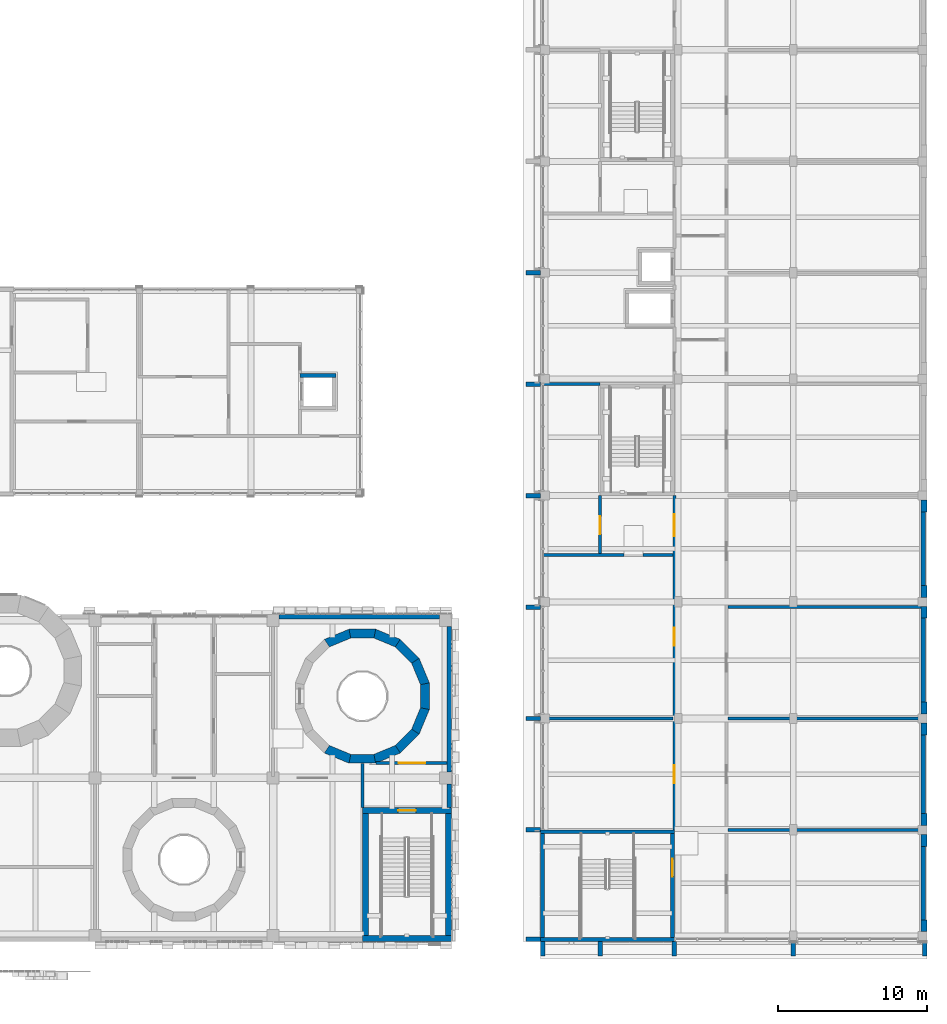
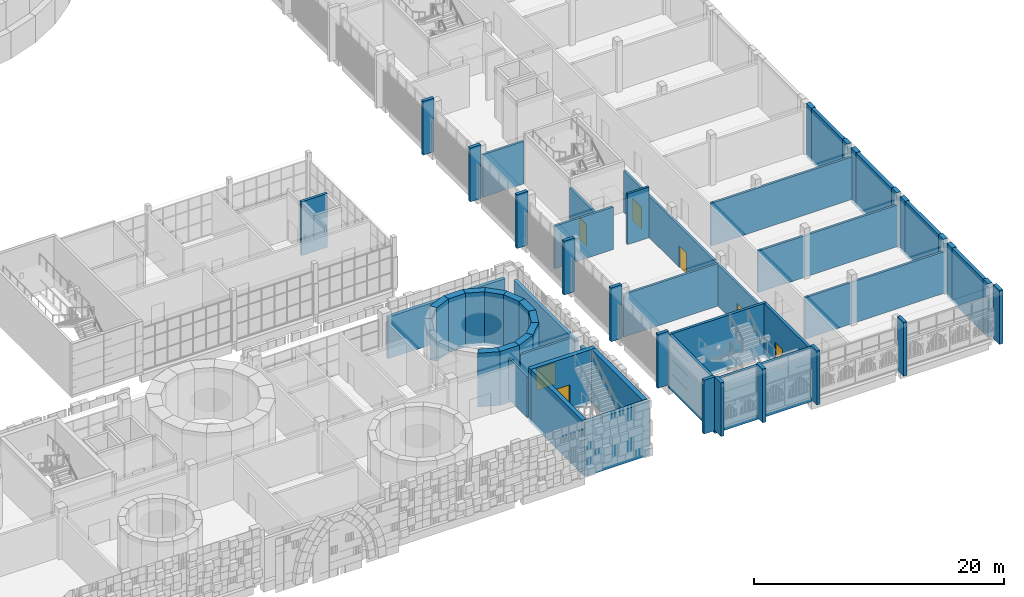
# One storey, part 68 of 125: 58 walls, 7 doors, 7 openings.
"""IFC4 building model written with IfcOpenShell, lengths in metres."""

from ifc_helpers import new_model, si_unit, direction, frame, frame_2d, origin, place, context, subcontext, project, spatial, polyline, rectangle, outline, extrude, material, layer, layer_set, type_object, element, fill, save


model = new_model("IFC4")

# Units and contexts
model_context = context("Model", 3, precision=1e-05, world=origin(), true_north=direction((0.0, 1.0)))
body_context = subcontext(model_context, "Body", "Model", "MODEL_VIEW")
ifc_project = project(units=[si_unit("LENGTHUNIT", "METRE"), si_unit("AREAUNIT", "SQUARE_METRE"), si_unit("VOLUMEUNIT", "CUBIC_METRE"), si_unit("PLANEANGLEUNIT", "RADIAN"), si_unit("MASSUNIT", "GRAM", prefix="KILO")], contexts=[model_context])

# Site, building, storey
site_placement = place(None, origin())
site = spatial("IfcSite", under=ifc_project, at=site_placement, CompositionType="ELEMENT")
building_placement = place(site_placement, origin())
building = spatial("IfcBuilding", under=site, at=building_placement, Name="Sun Court Science Centre", CompositionType="ELEMENT")
storey_placement = place(building_placement, frame((0.0, 0.0, 6.0)))
storey = spatial("IfcBuildingStorey", under=building, at=storey_placement, Name="L01", CompositionType="ELEMENT", Elevation=6.0)

# Walls
ifc_material_1 = material(Name="Clay masonry", Category="masonry")
ifc_layer_1 = layer(ifc_material_1, 0.300048828125)
ifc_layer_set_1 = layer_set([ifc_layer_1], Name="Clay masonry")
wall_type_1 = type_object("IfcWallType", Name="Clay masonry infill wall 300", PredefinedType="SOLIDWALL", material=ifc_layer_set_1)
wall_1_placement = place(storey_placement, frame((60.39990234375, 27.85009765625, 0.0), z_axis=(0.0, 0.0, 1.0), x_axis=(1.0, 0.0, 0.0)))
element("IfcWall", 1, at=wall_1_placement, inside=storey, type_object=wall_type_1, Name="External infill wall L01 north face 06", PredefinedType="SOLIDWALL", context=body_context, shape_type="SweptSolid", body=[
    extrude(rectangle(XDim=10.800048828125, YDim=0.300048828125, at=frame_2d((5.39990234375, 0.0))), origin(), (0.0, 0.0, 1.0), 4.050048828125),
])
wall_2_placement = place(storey_placement, frame((71.85009765625, 27.199951171875, 0.0), z_axis=(0.0, 0.0, 1.0), x_axis=(0.0, -1.0, 0.0)))
element("IfcWall", 2, at=wall_2_placement, inside=storey, type_object=wall_type_1, Name="External infill wall L01 east face 01", PredefinedType="SOLIDWALL", context=body_context, shape_type="SweptSolid", body=[
    extrude(rectangle(XDim=9.800048828125, YDim=0.300048828125, at=frame_2d((4.89990234375, 0.0))), origin(), (0.0, 0.0, 1.0), 4.050048828125),
])
wall_3_placement = place(storey_placement, frame((71.85009765625, 16.60009765625, 0.0), z_axis=(0.0, 0.0, 1.0), x_axis=(0.0, -1.0, 0.0)))
element("IfcWall", 3, at=wall_3_placement, inside=storey, type_object=wall_type_1, Name="External infill wall L01 east face 02", PredefinedType="SOLIDWALL", context=body_context, shape_type="SweptSolid", body=[
    extrude(rectangle(XDim=1.60009765625, YDim=0.300048828125, at=frame_2d((0.800048828125, 0.0))), origin(), (0.0, 0.0, 1.0), 4.050048828125),
])
ifc_material_2 = material(Name="Concrete C30/37", Category="concrete")
ifc_layer_2 = layer(ifc_material_2, 0.300048828125)
ifc_layer_set_2 = layer_set([ifc_layer_2], Name="Concrete C30/37")
wall_type_2 = type_object("IfcWallType", Name="Facade fin RC 300", PredefinedType="SOLIDWALL", material=ifc_layer_set_2)
for number, where, z_axis, x_axis, name in (
    (4, (77.0, 6.14990234375, 0.0), (0.0, 0.0, 1.0), (1.0, 0.0, 0.0), "Facade fin 01 L01"),
    (5, (77.0, 13.5, 0.0), (0.0, 0.0, 1.0), (1.0, 0.0, 0.0), "Facade fin 02 L01"),
    (6, (77.0, 21.0, 0.0), (0.0, 0.0, 1.0), (1.0, 0.0, 0.0), "Facade fin 03 L01"),
    (7, (77.0, 28.5, 0.0), (0.0, 0.0, 1.0), (1.0, 0.0, 0.0), "Facade fin 04 L01"),
    (8, (77.0, 36.0, 0.0), (0.0, 0.0, 1.0), (1.0, 0.0, 0.0), "Facade fin 05 L01"),
    (9, (77.0, 43.5, 0.0), (0.0, 0.0, 1.0), (1.0, 0.0, 0.0), "Facade fin 06 L01"),
    (10, (77.0, 51.0, 0.0), (0.0, 0.0, 1.0), (1.0, 0.0, 0.0), "Facade fin 07 L01"),
    (11, (78.14990234375, 6.0, 0.0), (0.0, 0.0, 1.0), (0.0, -1.0, 0.0), "Facade fin south 01 L01"),
    (12, (82.0, 6.0, 0.0), (0.0, 0.0, 1.0), (0.0, -1.0, 0.0), "Facade fin south 02 L01"),
    (13, (87.0, 6.0, 0.0), (0.0, 0.0, 1.0), (0.0, -1.0, 0.0), "Facade fin south 03 L01"),
    (14, (95.0, 6.0, 0.0), (0.0, 0.0, 1.0), (0.0, -1.0, 0.0), "Facade fin south 04 L01"),
    (15, (103.85009765625, 6.0, 0.0), (0.0, 0.0, 1.0), (0.0, -1.0, 0.0), "Facade fin south 05 L01"),
):
    element("IfcWall", number, at=place(storey_placement, frame(where, z_axis=z_axis, x_axis=x_axis)), inside=storey, type_object=wall_type_2, Name=name, PredefinedType="SOLIDWALL", context=body_context, shape_type="SweptSolid", body=[
        extrude(rectangle(XDim=1.0, YDim=0.300048828125, at=frame_2d((0.5, 0.0))), origin(), (0.0, 0.0, 1.0), 5.25),
    ])

# Wall, opening, door
ifc_material_3 = material(Name="Concrete block", Category="concrete")
ifc_layer_3 = layer(ifc_material_3, 0.199951171875)
ifc_layer_set_3 = layer_set([ifc_layer_3], Name="Concrete block")
wall_type_3 = type_object("IfcWallType", Name="Partition 200 block EI60", PredefinedType="PARTITIONING", material=ifc_layer_set_3)
wall_4_placement = place(storey_placement, frame((71.697998046875, 18.0, 0.0), z_axis=(0.0, 0.0, 1.0), x_axis=(-1.0, 0.0, 0.0)))
wall_4 = element("IfcWall", 16, at=wall_4_placement, inside=storey, type_object=wall_type_3, Name="L01 partition 003", PredefinedType="PARTITIONING", context=body_context, shape_type="SweptSolid", body=[
    extrude(rectangle(XDim=4.767333984375, YDim=0.199951171875, at=frame_2d((2.3837890625, 0.0))), origin(), (0.0, 0.0, 1.0), 4.050048828125),
])
opening_1_placement = place(wall_4_placement, frame((1.4609375, 0.0, 0.0)))
opening_1 = element("IfcOpeningElement", 17, at=opening_1_placement, cuts=wall_4, Name="Opening D-L01-011", PredefinedType="OPENING", context=body_context, shape_type="SweptSolid", body=[
    extrude(rectangle(XDim=1.800048828125, YDim=2.10009765625, at=frame_2d((0.89990234375, 1.050048828125))), frame((0.0, 0.10986328125, 0.0), z_axis=(0.0, -1.0, 0.0), x_axis=(1.0, 0.0, 0.0)), (0.0, 0.0, 1.0), 0.219970703125),
])
ifc_material_4 = material(Name="Timber", Category="wood")
door_type_1 = type_object("IfcDoorType", Name="Door 1800x2100 double leaf", OperationType="DOUBLE_DOOR_SINGLE_SWING", PredefinedType="DOOR", material=ifc_material_4)
door_1_placement = place(opening_1_placement, origin())
door_1 = element("IfcDoor", 18, at=door_1_placement, inside=storey, type_object=door_type_1, Name="Door D-L01-011", OperationType="DOUBLE_DOOR_SINGLE_SWING", OverallHeight=2.10009765625, OverallWidth=1.800048828125, PredefinedType="DOOR", context=body_context, shape_type="SweptSolid", body=[
    extrude(rectangle(XDim=1.800048828125, YDim=2.10009765625, at=frame_2d((0.89990234375, 1.050048828125))), frame((0.0, 0.02490234375, 0.0), z_axis=(0.0, -1.0, 0.0), x_axis=(1.0, 0.0, 0.0)), (0.0, 0.0, 1.0), 0.050048828125),
])
fill(opening_1, door_1)

# Walls
wall_5_placement = place(storey_placement, frame((78.199951171875, 32.0, 0.0), z_axis=(0.0, 0.0, 1.0), x_axis=(1.0, 0.0, 0.0)))
element("IfcWall", 19, at=wall_5_placement, inside=storey, type_object=wall_type_3, Name="L01 partition 005", PredefinedType="PARTITIONING", context=body_context, shape_type="SweptSolid", body=[
    extrude(rectangle(XDim=5.400146484375, YDim=0.199951171875, at=frame_2d((2.7001953125, 0.0))), origin(), (0.0, 0.0, 1.0), 4.14990234375),
])
wall_6_placement = place(storey_placement, frame((84.89990234375, 32.0, 0.0), z_axis=(0.0, 0.0, 1.0), x_axis=(1.0, 0.0, 0.0)))
element("IfcWall", 20, at=wall_6_placement, inside=storey, type_object=wall_type_3, Name="L01 partition 006", PredefinedType="PARTITIONING", context=body_context, shape_type="SweptSolid", body=[
    extrude(rectangle(XDim=2.0, YDim=0.199951171875, at=frame_2d((1.0, 0.0))), origin(), (0.0, 0.0, 1.0), 4.949951171875),
])

# Wall, opening, door
wall_7_placement = place(storey_placement, frame((82.0, 32.10009765625, 0.0), z_axis=(0.0, 0.0, 1.0), x_axis=(0.0, 1.0, 0.0)))
wall_7 = element("IfcWall", 21, at=wall_7_placement, inside=storey, type_object=wall_type_3, Name="L01 partition 026", PredefinedType="PARTITIONING", context=body_context, shape_type="SweptSolid", body=[
    extrude(rectangle(XDim=3.89794921875, YDim=0.199951171875, at=frame_2d((1.948974609375, 0.0))), origin(), (0.0, 0.0, 1.0), 4.14990234375),
])
opening_2_placement = place(wall_7_placement, frame((1.301025390625, 0.0, 0.0)))
opening_2 = element("IfcOpeningElement", 22, at=opening_2_placement, cuts=wall_7, Name="Opening D-L01-039", PredefinedType="OPENING", context=body_context, shape_type="SweptSolid", body=[
    extrude(rectangle(XDim=1.199951171875, YDim=2.10009765625, at=frame_2d((0.60009765625, 1.050048828125))), frame((0.0, 0.10986328125, 0.0), z_axis=(0.0, -1.0, 0.0), x_axis=(1.0, 0.0, 0.0)), (0.0, 0.0, 1.0), 0.219970703125),
])
ifc_material_5 = material(Name="Timber", Category="wood")
door_type_2 = type_object("IfcDoorType", Name="Door 1200x2100 single leaf", OperationType="NOTDEFINED", PredefinedType="DOOR", material=ifc_material_5)
door_2_placement = place(opening_2_placement, origin())
door_2 = element("IfcDoor", 23, at=door_2_placement, inside=storey, type_object=door_type_2, Name="Door D-L01-039", OperationType="SINGLE_SWING_RIGHT", OverallHeight=2.10009765625, OverallWidth=1.199951171875, PredefinedType="DOOR", context=body_context, shape_type="SweptSolid", body=[
    extrude(rectangle(XDim=1.199951171875, YDim=2.10009765625, at=frame_2d((0.60009765625, 1.050048828125))), frame((0.0, 0.02490234375, 0.0), z_axis=(0.0, -1.0, 0.0), x_axis=(1.0, 0.0, 0.0)), (0.0, 0.0, 1.0), 0.050048828125),
])
fill(opening_2, door_2)

# Wall
wall_8_placement = place(storey_placement, frame((66.0, 15.001953125, 0.0), z_axis=(0.0, 0.0, 1.0), x_axis=(0.0, 1.0, 0.0)))
element("IfcWall", 24, at=wall_8_placement, inside=storey, type_object=wall_type_3, Name="L01 partition 009", PredefinedType="PARTITIONING", context=body_context, shape_type="SweptSolid", body=[
    extrude(rectangle(XDim=2.984375, YDim=0.199951171875, at=frame_2d((1.4921875, 0.0))), origin(), (0.0, 0.0, 1.0), 4.050048828125),
])

# Wall, openings, doors
ifc_material_6 = material(Name="Concrete block", Category="concrete")
ifc_layer_4 = layer(ifc_material_6, 0.199951171875)
ifc_layer_set_4 = layer_set([ifc_layer_4], Name="Concrete block")
wall_type_4 = type_object("IfcWallType", Name="Partition 200 corridor block EI120", PredefinedType="PARTITIONING", material=ifc_layer_set_4)
wall_9_placement = place(storey_placement, frame((87.0, 13.501953125, 0.0), z_axis=(0.0, 0.0, 1.0), x_axis=(0.0, 1.0, 0.0)))
wall_9 = element("IfcWall", 25, at=wall_9_placement, inside=storey, type_object=wall_type_4, Name="L01 partition 021", PredefinedType="PARTITIONING", context=body_context, shape_type="SweptSolid", body=[
    extrude(rectangle(XDim=22.49609375, YDim=0.199951171875, at=frame_2d((11.248046875, 0.0))), origin(), (0.0, 0.0, 1.0), 4.050048828125),
])
opening_3_placement = place(wall_9_placement, frame((19.748046875, 0.0, 0.0)))
opening_3 = element("IfcOpeningElement", 26, at=opening_3_placement, cuts=wall_9, Name="Opening D-L01-031", PredefinedType="OPENING", context=body_context, shape_type="SweptSolid", body=[
    extrude(rectangle(XDim=1.5, YDim=2.10009765625, at=frame_2d((0.75, 1.050048828125))), frame((0.0, 0.10986328125, 0.0), z_axis=(0.0, -1.0, 0.0), x_axis=(1.0, 0.0, 0.0)), (0.0, 0.0, 1.0), 0.219970703125),
])
opening_4_placement = place(wall_9_placement, frame((3.14794921875, 0.0, 0.0)))
opening_4 = element("IfcOpeningElement", 27, at=opening_4_placement, cuts=wall_9, Name="Opening D-L01-037", PredefinedType="OPENING", context=body_context, shape_type="SweptSolid", body=[
    extrude(rectangle(XDim=1.199951171875, YDim=2.10009765625, at=frame_2d((0.60009765625, 1.050048828125))), frame((0.0, 0.10986328125, 0.0), z_axis=(0.0, -1.0, 0.0), x_axis=(1.0, 0.0, 0.0)), (0.0, 0.0, 1.0), 0.219970703125),
])
opening_5_placement = place(wall_9_placement, frame((12.39794921875, 0.0, 0.0)))
opening_5 = element("IfcOpeningElement", 28, at=opening_5_placement, cuts=wall_9, Name="Opening D-L01-038", PredefinedType="OPENING", context=body_context, shape_type="SweptSolid", body=[
    extrude(rectangle(XDim=1.199951171875, YDim=2.10009765625, at=frame_2d((0.60009765625, 1.050048828125))), frame((0.0, 0.10986328125, 0.0), z_axis=(0.0, -1.0, 0.0), x_axis=(1.0, 0.0, 0.0)), (0.0, 0.0, 1.0), 0.219970703125),
])
ifc_material_7 = material(Name="Steel", Category="steel")
door_type_3 = type_object("IfcDoorType", Name="Door 1200x2100 single leaf FD60", OperationType="NOTDEFINED", PredefinedType="DOOR", material=ifc_material_7)
door_3_placement = place(opening_4_placement, origin())
door_3 = element("IfcDoor", 29, at=door_3_placement, inside=storey, type_object=door_type_3, Name="Door D-L01-037", OperationType="SINGLE_SWING_RIGHT", OverallHeight=2.10009765625, OverallWidth=1.199951171875, PredefinedType="DOOR", context=body_context, shape_type="SweptSolid", body=[
    extrude(rectangle(XDim=1.199951171875, YDim=2.10009765625, at=frame_2d((0.60009765625, 1.050048828125))), frame((0.0, 0.02490234375, 0.0), z_axis=(0.0, -1.0, 0.0), x_axis=(1.0, 0.0, 0.0)), (0.0, 0.0, 1.0), 0.050048828125),
])
fill(opening_4, door_3)
door_4_placement = place(opening_5_placement, origin())
door_4 = element("IfcDoor", 30, at=door_4_placement, inside=storey, type_object=door_type_3, Name="Door D-L01-038", OperationType="SINGLE_SWING_LEFT", OverallHeight=2.10009765625, OverallWidth=1.199951171875, PredefinedType="DOOR", context=body_context, shape_type="SweptSolid", body=[
    extrude(rectangle(XDim=1.199951171875, YDim=2.10009765625, at=frame_2d((0.60009765625, 1.050048828125))), frame((0.0, 0.02490234375, 0.0), z_axis=(0.0, -1.0, 0.0), x_axis=(1.0, 0.0, 0.0)), (0.0, 0.0, 1.0), 0.050048828125),
])
fill(opening_5, door_4)
ifc_material_8 = material(Name="Steel", Category="steel")
door_type_4 = type_object("IfcDoorType", Name="Door 1500x2100 double leaf FD60", OperationType="DOUBLE_DOOR_SINGLE_SWING", PredefinedType="DOOR", material=ifc_material_8)
door_5_placement = place(opening_3_placement, origin())
door_5 = element("IfcDoor", 31, at=door_5_placement, inside=storey, type_object=door_type_4, Name="Door D-L01-031", OperationType="DOUBLE_DOOR_SINGLE_SWING", OverallHeight=2.10009765625, OverallWidth=1.5, PredefinedType="DOOR", context=body_context, shape_type="SweptSolid", body=[
    extrude(rectangle(XDim=1.5, YDim=2.10009765625, at=frame_2d((0.75, 1.050048828125))), frame((0.0, 0.02490234375, 0.0), z_axis=(0.0, -1.0, 0.0), x_axis=(1.0, 0.0, 0.0)), (0.0, 0.0, 1.0), 0.050048828125),
])
fill(opening_3, door_5)

# Walls
ifc_material_9 = material(Name="Concrete block", Category="concrete")
ifc_layer_5 = layer(ifc_material_9, 0.199951171875)
ifc_layer_set_5 = layer_set([ifc_layer_5], Name="Concrete block")
wall_type_5 = type_object("IfcWallType", Name="Partition 200 laboratory block", PredefinedType="PARTITIONING", material=ifc_layer_set_5)
wall_10_placement = place(storey_placement, frame((90.60009765625, 13.5, 0.0), z_axis=(0.0, 0.0, 1.0), x_axis=(1.0, 0.0, 0.0)))
element("IfcWall", 32, at=wall_10_placement, inside=storey, type_object=wall_type_5, Name="L01 partition 001", PredefinedType="PARTITIONING", context=body_context, shape_type="SweptSolid", body=[
    extrude(rectangle(XDim=13.199951171875, YDim=0.199951171875, at=frame_2d((6.60009765625, 0.0))), origin(), (0.0, 0.0, 1.0), 4.050048828125),
])
wall_11_placement = place(storey_placement, frame((78.199951171875, 21.0, 0.0), z_axis=(0.0, 0.0, 1.0), x_axis=(1.0, 0.0, 0.0)))
element("IfcWall", 33, at=wall_11_placement, inside=storey, type_object=wall_type_5, Name="L01 partition 002", PredefinedType="PARTITIONING", context=body_context, shape_type="SweptSolid", body=[
    extrude(rectangle(XDim=8.699951171875, YDim=0.199951171875, at=frame_2d((4.35009765625, 0.0))), origin(), (0.0, 0.0, 1.0), 4.14990234375),
])
wall_12_placement = place(storey_placement, frame((90.60009765625, 21.0, 0.0), z_axis=(0.0, 0.0, 1.0), x_axis=(1.0, 0.0, 0.0)))
element("IfcWall", 34, at=wall_12_placement, inside=storey, type_object=wall_type_5, Name="L01 partition 003", PredefinedType="PARTITIONING", context=body_context, shape_type="SweptSolid", body=[
    extrude(rectangle(XDim=13.199951171875, YDim=0.199951171875, at=frame_2d((6.60009765625, 0.0))), origin(), (0.0, 0.0, 1.0), 4.050048828125),
])
wall_13_placement = place(storey_placement, frame((90.60009765625, 28.5, 0.0), z_axis=(0.0, 0.0, 1.0), x_axis=(1.0, 0.0, 0.0)))
element("IfcWall", 35, at=wall_13_placement, inside=storey, type_object=wall_type_5, Name="L01 partition 004", PredefinedType="PARTITIONING", context=body_context, shape_type="SweptSolid", body=[
    extrude(rectangle(XDim=12.997802734375, YDim=0.199951171875, at=frame_2d((6.4990234375, 0.0))), origin(), (0.0, 0.0, 1.0), 4.14990234375),
])
wall_14_placement = place(storey_placement, frame((78.199951171875, 43.5, 0.0), z_axis=(0.0, 0.0, 1.0), x_axis=(1.0, 0.0, 0.0)))
element("IfcWall", 36, at=wall_14_placement, inside=storey, type_object=wall_type_5, Name="L01 partition 008", PredefinedType="PARTITIONING", context=body_context, shape_type="SweptSolid", body=[
    extrude(rectangle(XDim=3.798095703125, YDim=0.199951171875, at=frame_2d((1.89892578125, 0.0))), origin(), (0.0, 0.0, 1.0), 4.14990234375),
])
ifc_material_10 = material(Name="Concrete C30/37", Category="concrete")
ifc_layer_6 = layer(ifc_material_10, 0.60009765625)
ifc_layer_set_6 = layer_set([ifc_layer_6], Name="Concrete C30/37")
wall_type_6 = type_object("IfcWallType", Name="RC cone ring wall 600", PredefinedType="SHEAR", material=ifc_layer_set_6)
wall_15_placement = place(storey_placement, frame((70.234375, 23.28271484375, -0.300048828125), z_axis=(0.0, 0.0, 1.0), x_axis=(-0.3826441282, 0.92389581185, 0.0)))
element("IfcWall", 37, at=wall_15_placement, inside=storey, type_object=wall_type_6, Name="Cone 6 ring wall L01 segment 1", PredefinedType="SHEAR", context=body_context, shape_type="SweptSolid", body=[
    extrude(outline(polyline([(0.0, -0.300048828125), (1.794677734375, -0.2998046875), (1.67529296875, 0.300048828125), (0.119140625, 0.300048828125), (0.0, -0.300048828125)])), origin(), (0.0, 0.0, 1.0), 5.25),
])
wall_16_placement = place(storey_placement, frame((69.612548828125, 24.843505859375, -0.300048828125), z_axis=(0.0, 0.0, 1.0), x_axis=(-0.707106781187, 0.707106781187, 0.0)))
element("IfcWall", 38, at=wall_16_placement, inside=storey, type_object=wall_type_6, Name="Cone 6 ring wall L01 segment 2", PredefinedType="SHEAR", context=body_context, shape_type="SweptSolid", body=[
    extrude(outline(polyline([(0.0, -0.300048828125), (1.794677734375, -0.300048828125), (1.67529296875, 0.2998046875), (0.119384765625, 0.2998046875), (0.0, -0.300048828125)])), origin(), (0.0, 0.0, 1.0), 5.25),
])
wall_17_placement = place(storey_placement, frame((68.44091796875, 26.047607421875, -0.300048828125), z_axis=(0.0, 0.0, 1.0), x_axis=(-0.92389581185, 0.3826441282, 0.0)))
element("IfcWall", 39, at=wall_17_placement, inside=storey, type_object=wall_type_6, Name="Cone 6 ring wall L01 segment 3", PredefinedType="SHEAR", context=body_context, shape_type="SweptSolid", body=[
    extrude(outline(polyline([(0.0, -0.2998046875), (1.794921875, -0.300048828125), (1.675537109375, 0.300048828125), (0.119384765625, 0.300048828125), (0.0, -0.2998046875)])), origin(), (0.0, 0.0, 1.0), 5.25),
])
wall_18_placement = place(storey_placement, frame((66.8974609375, 26.711669921875, -0.300048828125), z_axis=(0.0, 0.0, 1.0), x_axis=(-1.0, 0.0, 0.0)))
element("IfcWall", 40, at=wall_18_placement, inside=storey, type_object=wall_type_6, Name="Cone 6 ring wall L01 segment 4", PredefinedType="SHEAR", context=body_context, shape_type="SweptSolid", body=[
    extrude(outline(polyline([(0.0, -0.300048828125), (1.794921875, -0.300048828125), (1.675537109375, 0.300048828125), (0.119384765625, 0.300048828125), (0.0, -0.300048828125)])), origin(), (0.0, 0.0, 1.0), 5.25),
])
wall_19_placement = place(storey_placement, frame((65.21728515625, 26.734375, -0.300048828125), z_axis=(0.0, 0.0, 1.0), x_axis=(-0.92389581185, -0.3826441282, 0.0)))
element("IfcWall", 41, at=wall_19_placement, inside=storey, type_object=wall_type_6, Name="Cone 6 ring wall L01 segment 5", PredefinedType="SHEAR", context=body_context, shape_type="SweptSolid", body=[
    extrude(outline(polyline([(0.0, -0.300048828125), (1.794677734375, -0.2998046875), (1.67529296875, 0.300048828125), (0.119140625, 0.300048828125), (0.0, -0.300048828125)])), origin(), (0.0, 0.0, 1.0), 5.25),
])
wall_20_placement = place(storey_placement, frame((63.55908203125, 18.952392578125, -0.300048828125), z_axis=(0.0, 0.0, 1.0), x_axis=(0.92389581185, -0.3826441282, 0.0)))
element("IfcWall", 42, at=wall_20_placement, inside=storey, type_object=wall_type_6, Name="Cone 6 ring wall L01 segment 11", PredefinedType="SHEAR", context=body_context, shape_type="SweptSolid", body=[
    extrude(outline(polyline([(0.0, -0.2998046875), (1.794921875, -0.300048828125), (1.675537109375, 0.300048828125), (0.119384765625, 0.300048828125), (0.0, -0.2998046875)])), origin(), (0.0, 0.0, 1.0), 5.25),
])
wall_21_placement = place(storey_placement, frame((65.1025390625, 18.288330078125, -0.300048828125), z_axis=(0.0, 0.0, 1.0), x_axis=(1.0, 0.0, 0.0)))
element("IfcWall", 43, at=wall_21_placement, inside=storey, type_object=wall_type_6, Name="Cone 6 ring wall L01 segment 12", PredefinedType="SHEAR", context=body_context, shape_type="SweptSolid", body=[
    extrude(outline(polyline([(0.0, -0.300048828125), (1.794921875, -0.300048828125), (1.675537109375, 0.300048828125), (0.119384765625, 0.300048828125), (0.0, -0.300048828125)])), origin(), (0.0, 0.0, 1.0), 5.25),
])
wall_22_placement = place(storey_placement, frame((66.78271484375, 18.265625, -0.300048828125), z_axis=(0.0, 0.0, 1.0), x_axis=(0.92389581185, 0.3826441282, 0.0)))
element("IfcWall", 44, at=wall_22_placement, inside=storey, type_object=wall_type_6, Name="Cone 6 ring wall L01 segment 13", PredefinedType="SHEAR", context=body_context, shape_type="SweptSolid", body=[
    extrude(outline(polyline([(0.0, -0.300048828125), (1.794677734375, -0.2998046875), (1.67529296875, 0.300048828125), (0.119140625, 0.300048828125), (0.0, -0.300048828125)])), origin(), (0.0, 0.0, 1.0), 5.25),
])
wall_23_placement = place(storey_placement, frame((68.343505859375, 18.887451171875, -0.300048828125), z_axis=(0.0, 0.0, 1.0), x_axis=(0.707106781187, 0.707106781187, 0.0)))
element("IfcWall", 45, at=wall_23_placement, inside=storey, type_object=wall_type_6, Name="Cone 6 ring wall L01 segment 14", PredefinedType="SHEAR", context=body_context, shape_type="SweptSolid", body=[
    extrude(outline(polyline([(0.0, -0.300048828125), (1.794677734375, -0.300048828125), (1.67529296875, 0.2998046875), (0.119384765625, 0.2998046875), (0.0, -0.300048828125)])), origin(), (0.0, 0.0, 1.0), 5.25),
])
wall_24_placement = place(storey_placement, frame((69.547607421875, 20.05908203125, -0.300048828125), z_axis=(0.0, 0.0, 1.0), x_axis=(0.3826441282, 0.92389581185, 0.0)))
element("IfcWall", 46, at=wall_24_placement, inside=storey, type_object=wall_type_6, Name="Cone 6 ring wall L01 segment 15", PredefinedType="SHEAR", context=body_context, shape_type="SweptSolid", body=[
    extrude(outline(polyline([(0.0, -0.2998046875), (1.794921875, -0.300048828125), (1.675537109375, 0.300048828125), (0.119384765625, 0.300048828125), (0.0, -0.2998046875)])), origin(), (0.0, 0.0, 1.0), 5.25),
])
wall_25_placement = place(storey_placement, frame((70.211669921875, 21.6025390625, -0.300048828125), z_axis=(0.0, 0.0, 1.0), x_axis=(0.0, 1.0, 0.0)))
element("IfcWall", 47, at=wall_25_placement, inside=storey, type_object=wall_type_6, Name="Cone 6 ring wall L01 segment 16", PredefinedType="SHEAR", context=body_context, shape_type="SweptSolid", body=[
    extrude(outline(polyline([(0.0, -0.300048828125), (1.794921875, -0.300048828125), (1.675537109375, 0.300048828125), (0.119384765625, 0.300048828125), (0.0, -0.300048828125)])), origin(), (0.0, 0.0, 1.0), 5.25),
])
ifc_material_11 = material(Name="Concrete C30/37", Category="concrete")
ifc_layer_7 = layer(ifc_material_11, 0.39990234375)
ifc_layer_set_7 = layer_set([ifc_layer_7], Name="Concrete C30/37")
wall_type_7 = type_object("IfcWallType", Name="RC party wall exterior 400", PredefinedType="SOLIDWALL", material=ifc_layer_set_7)
for number, where, z_axis, x_axis, name in (
    (48, (103.800048828125, 6.64990234375, -0.300048828125), (0.0, 0.0, 1.0), (0.0, 1.0, 0.0), "East party wall L01"),
    (49, (103.800048828125, 12.39990234375, -0.300048828125), (0.0, 0.0, 1.0), (0.0, 1.0, 0.0), "East party wall L01"),
    (50, (103.800048828125, 13.800048828125, -0.300048828125), (0.0, 0.0, 1.0), (0.0, 1.0, 0.0), "East party wall L01"),
    (51, (103.800048828125, 19.89990234375, -0.300048828125), (0.0, 0.0, 1.0), (0.0, 1.0, 0.0), "East party wall L01"),
    (52, (103.800048828125, 21.300048828125, -0.300048828125), (0.0, 0.0, 1.0), (0.0, 1.0, 0.0), "East party wall L01"),
    (53, (103.800048828125, 27.75, -0.300048828125), (0.0, 0.0, 1.0), (0.0, 1.0, 0.0), "East party wall L01"),
    (54, (103.800048828125, 29.14990234375, -0.300048828125), (0.0, 0.0, 1.0), (0.0, 1.0, 0.0), "East party wall L01"),
    (55, (103.800048828125, 34.89990234375, -0.300048828125), (0.0, 0.0, 1.0), (0.0, 1.0, 0.0), "East party wall L01"),
):
    element("IfcWall", number, at=place(storey_placement, frame(where, z_axis=z_axis, x_axis=x_axis)), inside=storey, type_object=wall_type_7, Name=name, PredefinedType="SOLIDWALL", context=body_context, shape_type="SweptSolid", body=[
        extrude(rectangle(XDim=0.800048828125, YDim=0.39990234375, at=frame_2d((0.39990234375, 0.0))), origin(), (0.0, 0.0, 1.0), 5.25),
    ])
ifc_material_12 = material(Name="Concrete C30/37", Category="concrete")
ifc_layer_8 = layer(ifc_material_12, 0.300048828125)
ifc_layer_set_8 = layer_set([ifc_layer_8], Name="Concrete C30/37")
wall_type_8 = type_object("IfcWallType", Name="RC party wall panel exterior 300", PredefinedType="SOLIDWALL", material=ifc_layer_set_8)
wall_26_placement = place(storey_placement, frame((103.75, 7.449951171875, -0.300048828125), z_axis=(0.0, 0.0, 1.0), x_axis=(0.0, 1.0, 0.0)))
element("IfcWall", 56, at=wall_26_placement, inside=storey, type_object=wall_type_8, Name="East party wall L01 panel", PredefinedType="SOLIDWALL", context=body_context, shape_type="SweptSolid", body=[
    extrude(rectangle(XDim=4.949951171875, YDim=0.300048828125, at=frame_2d((2.47509765625, 0.0))), origin(), (0.0, 0.0, 1.0), 5.25),
])
wall_27_placement = place(storey_placement, frame((103.75, 14.60009765625, -0.300048828125), z_axis=(0.0, 0.0, 1.0), x_axis=(0.0, 1.0, 0.0)))
element("IfcWall", 57, at=wall_27_placement, inside=storey, type_object=wall_type_8, Name="East party wall L01 panel", PredefinedType="SOLIDWALL", context=body_context, shape_type="SweptSolid", body=[
    extrude(rectangle(XDim=5.2998046875, YDim=0.300048828125, at=frame_2d((2.64990234375, 0.0))), origin(), (0.0, 0.0, 1.0), 5.25),
])
wall_28_placement = place(storey_placement, frame((103.75, 22.10009765625, -0.300048828125), z_axis=(0.0, 0.0, 1.0), x_axis=(0.0, 1.0, 0.0)))
element("IfcWall", 58, at=wall_28_placement, inside=storey, type_object=wall_type_8, Name="East party wall L01 panel", PredefinedType="SOLIDWALL", context=body_context, shape_type="SweptSolid", body=[
    extrude(rectangle(XDim=5.64990234375, YDim=0.300048828125, at=frame_2d((2.824951171875, 0.0))), origin(), (0.0, 0.0, 1.0), 5.25),
])
wall_29_placement = place(storey_placement, frame((103.75, 29.949951171875, -0.300048828125), z_axis=(0.0, 0.0, 1.0), x_axis=(0.0, 1.0, 0.0)))
element("IfcWall", 59, at=wall_29_placement, inside=storey, type_object=wall_type_8, Name="East party wall L01 panel", PredefinedType="SOLIDWALL", context=body_context, shape_type="SweptSolid", body=[
    extrude(rectangle(XDim=4.949951171875, YDim=0.300048828125, at=frame_2d((2.47509765625, 0.0))), origin(), (0.0, 0.0, 1.0), 5.25),
])
ifc_material_13 = material(Name="Concrete C30/37", Category="concrete")
ifc_layer_9 = layer(ifc_material_13, 0.25)
ifc_layer_set_9 = layer_set([ifc_layer_9], Name="Concrete C30/37")
wall_type_9 = type_object("IfcWallType", Name="RC shaft wall 250", PredefinedType="SHEAR", material=ifc_layer_set_9)
wall_30_placement = place(storey_placement, frame((61.78759765625, 44.08740234375, -0.300048828125), z_axis=(0.0, 0.0, 1.0), x_axis=(1.0, 0.0, 0.0)))
element("IfcWall", 60, at=wall_30_placement, inside=storey, type_object=wall_type_9, Name="Lift core LP1 wall N, L01", PredefinedType="SHEAR", context=body_context, shape_type="SweptSolid", body=[
    extrude(rectangle(XDim=2.4248046875, YDim=0.25, at=frame_2d((1.21240234375, 0.0))), origin(), (0.0, 0.0, 1.0), 5.25),
])
ifc_material_14 = material(Name="Concrete C30/37", Category="concrete")
ifc_layer_10 = layer(ifc_material_14, 0.25)
ifc_layer_set_10 = layer_set([ifc_layer_10], Name="Concrete C30/37")
wall_type_10 = type_object("IfcWallType", Name="RC stair core wall 250", PredefinedType="SHEAR", material=ifc_layer_set_10)
wall_31_placement = place(storey_placement, frame((78.0, 6.125, -0.300048828125), z_axis=(0.0, 0.0, 1.0), x_axis=(1.0, 0.0, 0.0)))
element("IfcWall", 61, at=wall_31_placement, inside=storey, type_object=wall_type_10, Name="Stair core SL1 wall S, L01", PredefinedType="SHEAR", context=body_context, shape_type="SweptSolid", body=[
    extrude(rectangle(XDim=9.0, YDim=0.25, at=frame_2d((4.5, 0.0))), origin(), (0.0, 0.0, 1.0), 5.25),
])

# Wall, opening, door
wall_32_placement = place(storey_placement, frame((86.875, 6.25, -0.300048828125), z_axis=(0.0, 0.0, 1.0), x_axis=(0.0, 1.0, 0.0)))
wall_32 = element("IfcWall", 62, at=wall_32_placement, inside=storey, type_object=wall_type_10, Name="Stair core SL1 wall E, L01", PredefinedType="SHEAR", context=body_context, shape_type="SweptSolid", body=[
    extrude(rectangle(XDim=7.0, YDim=0.25, at=frame_2d((3.5, 0.0))), origin(), (0.0, 0.0, 1.0), 5.25),
])
opening_6_placement = place(wall_32_placement, frame((4.10107421875, 0.0, 0.300048828125)))
opening_6 = element("IfcOpeningElement", 63, at=opening_6_placement, cuts=wall_32, Name="Opening D-L01-036", PredefinedType="OPENING", context=body_context, shape_type="SweptSolid", body=[
    extrude(rectangle(XDim=1.199951171875, YDim=2.199951171875, at=frame_2d((0.60009765625, 1.10009765625))), frame((0.0, 0.135009765625, 0.0), z_axis=(0.0, -1.0, 0.0), x_axis=(1.0, 0.0, 0.0)), (0.0, 0.0, 1.0), 0.27001953125),
])
ifc_material_15 = material(Name="Steel", Category="steel")
door_type_5 = type_object("IfcDoorType", Name="Door 1200x2200 single leaf FD60", OperationType="NOTDEFINED", PredefinedType="DOOR", material=ifc_material_15)
door_6_placement = place(opening_6_placement, origin())
door_6 = element("IfcDoor", 64, at=door_6_placement, inside=storey, type_object=door_type_5, Name="Door D-L01-036", OperationType="SINGLE_SWING_LEFT", OverallHeight=2.199951171875, OverallWidth=1.199951171875, PredefinedType="DOOR", context=body_context, shape_type="SweptSolid", body=[
    extrude(rectangle(XDim=1.199951171875, YDim=2.199951171875, at=frame_2d((0.60009765625, 1.10009765625))), frame((0.0, 0.02490234375, 0.0), z_axis=(0.0, -1.0, 0.0), x_axis=(1.0, 0.0, 0.0)), (0.0, 0.0, 1.0), 0.050048828125),
])
fill(opening_6, door_6)

# Walls
wall_33_placement = place(storey_placement, frame((78.0, 13.375, -0.300048828125), z_axis=(0.0, 0.0, 1.0), x_axis=(1.0, 0.0, 0.0)))
element("IfcWall", 65, at=wall_33_placement, inside=storey, type_object=wall_type_10, Name="Stair core SL1 wall N, L01", PredefinedType="SHEAR", context=body_context, shape_type="SweptSolid", body=[
    extrude(rectangle(XDim=9.0, YDim=0.25, at=frame_2d((4.5, 0.0))), origin(), (0.0, 0.0, 1.0), 5.25),
])
wall_34_placement = place(storey_placement, frame((78.125, 6.25, -0.300048828125), z_axis=(0.0, 0.0, 1.0), x_axis=(0.0, 1.0, 0.0)))
element("IfcWall", 66, at=wall_34_placement, inside=storey, type_object=wall_type_10, Name="Stair core SL1 wall W, L01", PredefinedType="SHEAR", context=body_context, shape_type="SweptSolid", body=[
    extrude(rectangle(XDim=7.0, YDim=0.25, at=frame_2d((3.5, 0.0))), origin(), (0.0, 0.0, 1.0), 5.25),
])
ifc_material_16 = material(Name="Concrete C30/37", Category="concrete")
ifc_layer_11 = layer(ifc_material_16, 0.39990234375)
ifc_layer_set_11 = layer_set([ifc_layer_11], Name="Concrete C30/37")
wall_type_11 = type_object("IfcWallType", Name="RC stair core wall 400", PredefinedType="SHEAR", material=ifc_layer_set_11)
wall_35_placement = place(storey_placement, frame((66.0, 6.199951171875, -0.300048828125), z_axis=(0.0, 0.0, 1.0), x_axis=(1.0, 0.0, 0.0)))
element("IfcWall", 67, at=wall_35_placement, inside=storey, type_object=wall_type_11, Name="Stair core SB3 wall S, L01", PredefinedType="SHEAR", context=body_context, shape_type="SweptSolid", body=[
    extrude(rectangle(XDim=6.0, YDim=0.39990234375, at=frame_2d((3.0, 0.0))), origin(), (0.0, 0.0, 1.0), 5.25),
])
wall_36_placement = place(storey_placement, frame((71.800048828125, 6.39990234375, -0.300048828125), z_axis=(0.0, 0.0, 1.0), x_axis=(0.0, 1.0, 0.0)))
element("IfcWall", 68, at=wall_36_placement, inside=storey, type_object=wall_type_11, Name="Stair core SB3 wall E, L01", PredefinedType="SHEAR", context=body_context, shape_type="SweptSolid", body=[
    extrude(rectangle(XDim=8.2001953125, YDim=0.39990234375, at=frame_2d((4.10009765625, 0.0))), origin(), (0.0, 0.0, 1.0), 5.25),
])

# Wall, opening, door
wall_37_placement = place(storey_placement, frame((66.0, 14.800048828125, -0.300048828125), z_axis=(0.0, 0.0, 1.0), x_axis=(1.0, 0.0, 0.0)))
wall_37 = element("IfcWall", 69, at=wall_37_placement, inside=storey, type_object=wall_type_11, Name="Stair core SB3 wall N, L01", PredefinedType="SHEAR", context=body_context, shape_type="SweptSolid", body=[
    extrude(rectangle(XDim=6.0, YDim=0.39990234375, at=frame_2d((3.0, 0.0))), origin(), (0.0, 0.0, 1.0), 5.25),
])
opening_7_placement = place(wall_37_placement, frame((2.40087890625, 0.0, 0.300048828125)))
opening_7 = element("IfcOpeningElement", 70, at=opening_7_placement, cuts=wall_37, Name="Opening D-L01-008", PredefinedType="OPENING", context=body_context, shape_type="SweptSolid", body=[
    extrude(rectangle(XDim=1.199951171875, YDim=2.199951171875, at=frame_2d((0.60009765625, 1.10009765625))), frame((0.0, 0.2099609375, 0.0), z_axis=(0.0, -1.0, 0.0), x_axis=(1.0, 0.0, 0.0)), (0.0, 0.0, 1.0), 0.419921875),
])
door_7_placement = place(opening_7_placement, origin())
door_7 = element("IfcDoor", 71, at=door_7_placement, inside=storey, type_object=door_type_5, Name="Door D-L01-008", OperationType="SINGLE_SWING_RIGHT", OverallHeight=2.199951171875, OverallWidth=1.199951171875, PredefinedType="DOOR", context=body_context, shape_type="SweptSolid", body=[
    extrude(rectangle(XDim=1.199951171875, YDim=2.199951171875, at=frame_2d((0.60009765625, 1.10009765625))), frame((0.0, 0.02490234375, 0.0), z_axis=(0.0, -1.0, 0.0), x_axis=(1.0, 0.0, 0.0)), (0.0, 0.0, 1.0), 0.050048828125),
])
fill(opening_7, door_7)

# Wall
wall_38_placement = place(storey_placement, frame((66.199951171875, 6.39990234375, -0.300048828125), z_axis=(0.0, 0.0, 1.0), x_axis=(0.0, 1.0, 0.0)))
element("IfcWall", 72, at=wall_38_placement, inside=storey, type_object=wall_type_11, Name="Stair core SB3 wall W, L01", PredefinedType="SHEAR", context=body_context, shape_type="SweptSolid", body=[
    extrude(rectangle(XDim=8.2001953125, YDim=0.39990234375, at=frame_2d((4.10009765625, 0.0))), origin(), (0.0, 0.0, 1.0), 5.25),
])

save(model, "model.ifc")
